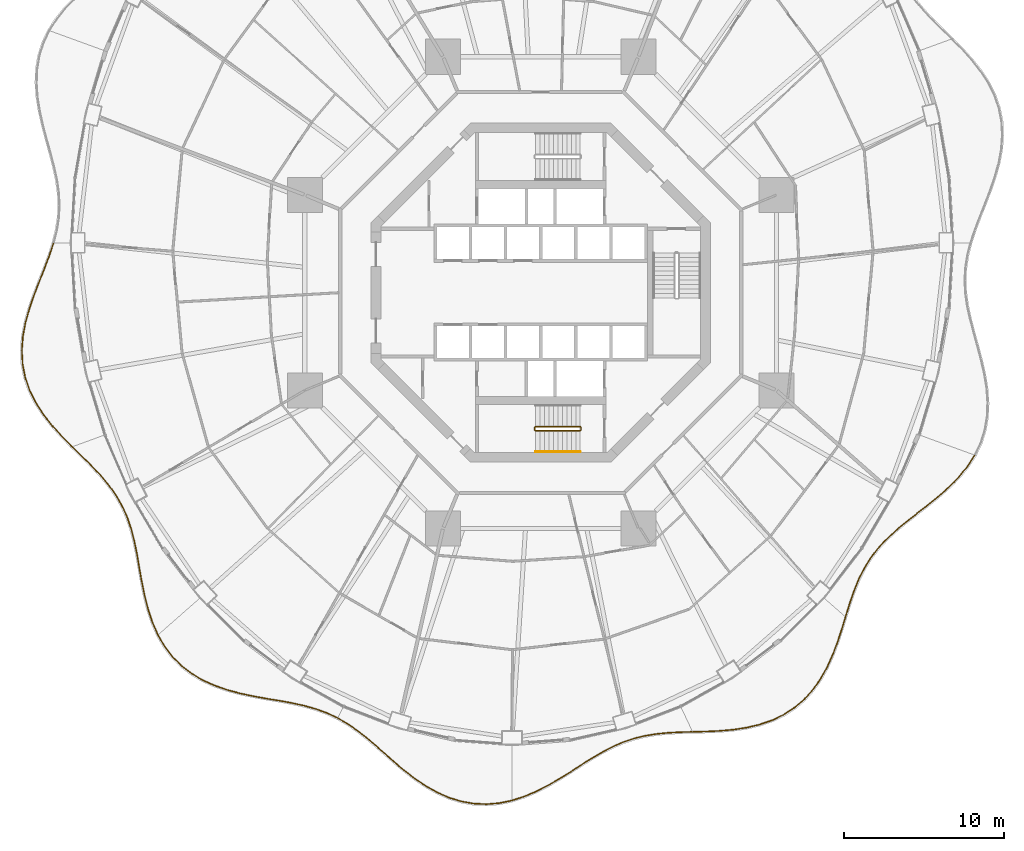
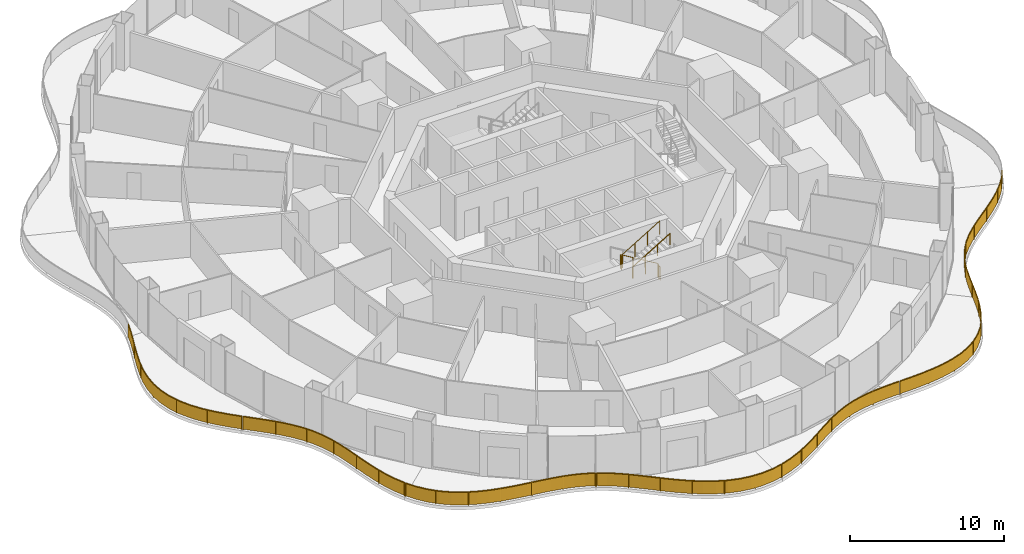
# One storey, part 20 of 22: 9 railings.
"""IFC4 building model written with IfcOpenShell, lengths in metres."""

from ifc_helpers import new_model, si_unit, direction, frame, origin, origin_2d, place, context, subcontext, project, spatial, polyline, rectangle, circle, outline, extrude, material, type_object, element, save


model = new_model("IFC4")

# Units and contexts
model_context = context("Model", 3, precision=1e-05, world=origin(), true_north=direction((0.0, 1.0)))
body_context = subcontext(model_context, "Body", "Model", "MODEL_VIEW")
ifc_project = project(units=[si_unit("LENGTHUNIT", "METRE"), si_unit("AREAUNIT", "SQUARE_METRE"), si_unit("VOLUMEUNIT", "CUBIC_METRE"), si_unit("PLANEANGLEUNIT", "RADIAN"), si_unit("MASSUNIT", "GRAM", prefix="KILO")], contexts=[model_context])

# Site, building, storey
site_placement = place(None, origin())
site = spatial("IfcSite", under=ifc_project, at=site_placement, CompositionType="ELEMENT")
building_placement = place(site_placement, origin())
building = spatial("IfcBuilding", under=site, at=building_placement, Name="Nagisa Residences", CompositionType="ELEMENT")
storey_placement = place(building_placement, frame((0.0, 0.0, 99.199951171875)))
storey = spatial("IfcBuildingStorey", under=building, at=storey_placement, Name="L24", CompositionType="ELEMENT", Elevation=99.199951171875)

# Railings
ifc_material_1 = material(Name="Stainless steel 316", Category="steel")
railing_type_1 = type_object("IfcRailingType", Name="BALCONY GUARD 1100", PredefinedType="BALUSTRADE", material=ifc_material_1)
railing_1_placement = place(storey_placement, frame((-30.53955078125, 3.08349609375, 0.0)))
element("IfcRailing", 1, at=railing_1_placement, inside=storey, type_object=railing_type_1, Name="guard:L24:bal08-0", PredefinedType="BALUSTRADE", context=body_context, shape_type="SweptSolid", body=[
    extrude(outline(polyline([(-0.227294921875, -0.766845703125), (0.023681640625, -0.0078125), (-0.023681640625, 0.0078125), (-0.274658203125, -0.750244140625), (-0.58203125, -1.56298828125), (-0.911376953125, -2.392578125), (-1.237060546875, -3.239013671875), (-1.53271484375, -4.099853515625), (-1.774169921875, -4.95751953125), (-1.935302734375, -5.8330078125), (-1.99951171875, -6.705078125), (-1.953369140625, -7.565673828125), (-1.79052734375, -8.406494140625), (-1.51513671875, -9.206787109375), (-1.1279296875, -9.988037109375), (-0.64599609375, -10.734130859375), (-0.087890625, -11.44384765625), (0.52294921875, -12.12060546875), (1.13232421875, -12.73583984375), (1.16796875, -12.70068359375), (0.55908203125, -12.08642578125), (-0.0498046875, -11.41162109375), (-0.60498046875, -10.704833984375), (-1.08447265625, -9.963134765625), (-1.46875, -9.187255859375), (-1.7421875, -8.393310546875), (-1.903564453125, -7.559326171875), (-1.94921875, -6.70556640625), (-1.885498046875, -5.83935546875), (-1.725341796875, -4.96875), (-1.48486328125, -4.114990234375), (-1.190185546875, -3.256103515625), (-0.864990234375, -2.41064453125), (-0.53515625, -1.5810546875), (-0.227294921875, -0.766845703125)])), frame((0.0, 0.0, 1.050048828125)), (0.0, 0.0, 1.0), 0.050048828125),
    extrude(outline(polyline([(-0.244384765625, -0.760986328125), (0.006591796875, -0.002197265625), (-0.006591796875, 0.002197265625), (-0.257568359375, -0.756103515625), (-0.565185546875, -1.569580078125), (-0.894775390625, -2.399169921875), (-1.22021484375, -3.2451171875), (-1.515380859375, -4.105224609375), (-1.756591796875, -4.961669921875), (-1.917236328125, -5.835205078125), (-1.9814453125, -6.705322265625), (-1.935546875, -7.5634765625), (-1.773193359375, -8.401611328125), (-1.49853515625, -9.19970703125), (-1.1123046875, -9.97900390625), (-0.631103515625, -10.7236328125), (-0.07421875, -11.43212890625), (0.535888671875, -12.1083984375), (1.145263671875, -12.72314453125), (1.155029296875, -12.71337890625), (0.546142578125, -12.0986328125), (-0.0634765625, -11.42333984375), (-0.619873046875, -10.71533203125), (-1.10009765625, -9.97216796875), (-1.4853515625, -9.1943359375), (-1.759521484375, -8.398193359375), (-1.92138671875, -7.5615234375), (-1.96728515625, -6.705322265625), (-1.903564453125, -5.837158203125), (-1.742919921875, -4.964599609375), (-1.502197265625, -4.109619140625), (-1.20703125, -3.25), (-0.881591796875, -2.404052734375), (-0.552001953125, -1.574462890625), (-0.244384765625, -0.760986328125)])), frame((0.0, 0.0, 0.06005859375)), (0.0, 0.0, 1.0), 0.989990234375),
    extrude(rectangle(XDim=0.0400390625, YDim=0.0400390625, at=origin_2d()), origin(), (0.0, 0.0, 1.0), 1.050048828125),
    extrude(rectangle(XDim=0.0400390625, YDim=0.0400390625, at=origin_2d()), frame((-0.8046875, -2.19140625, 0.0)), (0.0, 0.0, 1.0), 1.050048828125),
    extrude(rectangle(XDim=0.0400390625, YDim=0.0400390625, at=origin_2d()), frame((-1.58837890625, -4.3896484375, 0.0)), (0.0, 0.0, 1.0), 1.050048828125),
    extrude(rectangle(XDim=0.0400390625, YDim=0.0400390625, at=origin_2d()), frame((-1.972900390625, -6.685546875, 0.0)), (0.0, 0.0, 1.0), 1.050048828125),
    extrude(rectangle(XDim=0.0400390625, YDim=0.0400390625, at=origin_2d()), frame((-1.56982421875, -8.970947265625, 0.0)), (0.0, 0.0, 1.0), 1.050048828125),
    extrude(rectangle(XDim=0.0400390625, YDim=0.0400390625, at=origin_2d()), frame((-0.41455078125, -10.988037109375, 0.0)), (0.0, 0.0, 1.0), 1.050048828125),
    extrude(rectangle(XDim=0.0400390625, YDim=0.0400390625, at=origin_2d()), frame((1.150146484375, -12.71826171875, 0.0)), (0.0, 0.0, 1.0), 1.050048828125),
])
railing_2_placement = place(storey_placement, frame((-29.333984375, -9.687744140625, 0.0)))
element("IfcRailing", 2, at=railing_2_placement, inside=storey, type_object=railing_type_1, Name="guard:L24:bal09-0", PredefinedType="BALUSTRADE", context=body_context, shape_type="SweptSolid", body=[
    extrude(outline(polyline([(0.609619140625, -0.55908203125), (0.017578125, 0.017822265625), (-0.017578125, -0.017822265625), (0.574462890625, -0.5947265625), (1.17822265625, -1.195068359375), (1.743896484375, -1.79541015625), (2.25634765625, -2.4072265625), (2.705322265625, -3.03955078125), (3.0791015625, -3.688720703125), (3.39208984375, -4.38671875), (3.6435546875, -5.124755859375), (3.8447265625, -5.903076171875), (4.010986328125, -6.71826171875), (4.15185546875, -7.551025390625), (4.3046875, -8.416015625), (4.48095703125, -9.287353515625), (4.699951171875, -10.14990234375), (4.978515625, -10.987548828125), (5.309326171875, -11.740966796875), (5.355224609375, -11.720947265625), (5.025390625, -10.969482421875), (4.747802734375, -10.1357421875), (4.52978515625, -9.276123046875), (4.35400390625, -8.40673828125), (4.201171875, -7.542724609375), (4.060302734375, -6.708984375), (3.8935546875, -5.891845703125), (3.69140625, -5.110595703125), (3.4384765625, -4.3681640625), (3.12353515625, -3.665771484375), (2.747314453125, -3.0126953125), (2.2958984375, -2.37646484375), (1.781494140625, -1.76220703125), (1.2138671875, -1.159912109375), (0.609619140625, -0.55908203125)])), frame((0.0, 0.0, 1.050048828125)), (0.0, 0.0, 1.0), 0.050048828125),
    extrude(outline(polyline([(0.596923828125, -0.572021484375), (0.0048828125, 0.005126953125), (-0.0048828125, -0.005126953125), (0.587158203125, -0.581787109375), (1.19091796875, -1.182373046875), (1.757568359375, -1.783447265625), (2.2705078125, -2.396240234375), (2.720458984375, -3.02978515625), (3.094970703125, -3.680419921875), (3.40869140625, -4.380126953125), (3.660888671875, -5.11962890625), (3.8623046875, -5.89892578125), (4.02880859375, -6.71484375), (4.169677734375, -7.548095703125), (4.322509765625, -8.41259765625), (4.49853515625, -9.283203125), (4.717041015625, -10.144775390625), (4.995361328125, -10.98095703125), (5.325927734375, -11.73388671875), (5.338623046875, -11.72802734375), (5.008544921875, -10.97607421875), (4.730712890625, -10.140869140625), (4.51220703125, -9.2802734375), (4.336181640625, -8.41015625), (4.183349609375, -7.545654296875), (4.04248046875, -6.71240234375), (3.8759765625, -5.89599609375), (3.674072265625, -5.11572265625), (3.421875, -4.374755859375), (3.107666015625, -3.674072265625), (2.732177734375, -3.0224609375), (2.28173828125, -2.387451171875), (1.767822265625, -1.774169921875), (1.201171875, -1.172607421875), (0.596923828125, -0.572021484375)])), frame((0.0, 0.0, 0.06005859375)), (0.0, 0.0, 1.0), 0.989990234375),
    extrude(rectangle(XDim=0.0400390625, YDim=0.0400390625, at=origin_2d()), origin(), (0.0, 0.0, 1.0), 1.050048828125),
    extrude(rectangle(XDim=0.0400390625, YDim=0.0400390625, at=origin_2d()), frame((1.556396484375, -1.559814453125, 0.0)), (0.0, 0.0, 1.0), 1.050048828125),
    extrude(rectangle(XDim=0.0400390625, YDim=0.0400390625, at=origin_2d()), frame((2.888916015625, -3.308349609375, 0.0)), (0.0, 0.0, 1.0), 1.050048828125),
    extrude(rectangle(XDim=0.0400390625, YDim=0.0400390625, at=origin_2d()), frame((3.724853515625, -5.339111328125, 0.0)), (0.0, 0.0, 1.0), 1.050048828125),
    extrude(rectangle(XDim=0.0400390625, YDim=0.0400390625, at=origin_2d()), frame((4.16796875, -7.49658203125, 0.0)), (0.0, 0.0, 1.0), 1.050048828125),
    extrude(rectangle(XDim=0.0400390625, YDim=0.0400390625, at=origin_2d()), frame((4.6005859375, -9.656982421875, 0.0)), (0.0, 0.0, 1.0), 1.050048828125),
    extrude(rectangle(XDim=0.0400390625, YDim=0.0400390625, at=origin_2d()), frame((5.332275390625, -11.73095703125, 0.0)), (0.0, 0.0, 1.0), 1.050048828125),
])
railing_3_placement = place(storey_placement, frame((-23.96728515625, -21.488037109375, 0.0)))
element("IfcRailing", 3, at=railing_3_placement, inside=storey, type_object=railing_type_1, Name="guard:L24:bal10-0", PredefinedType="BALUSTRADE", context=body_context, shape_type="SweptSolid", body=[
    extrude(outline(polyline([(0.40625, -0.651123046875), (0.021728515625, 0.012451171875), (-0.021728515625, -0.012451171875), (0.36474609375, -0.678955078125), (0.85400390625, -1.32373046875), (1.42138671875, -1.89794921875), (2.0615234375, -2.39599609375), (2.766357421875, -2.817138671875), (3.512451171875, -3.153076171875), (4.310791015625, -3.432373046875), (5.13525390625, -3.654296875), (5.970947265625, -3.832763671875), (6.804443359375, -3.983154296875), (7.609130859375, -4.11376953125), (8.4033203125, -4.259765625), (9.16650390625, -4.428955078125), (9.89501953125, -4.6357421875), (10.588623046875, -4.890869140625), (11.213134765625, -5.184326171875), (11.234619140625, -5.138916015625), (10.608154296875, -4.844482421875), (9.91064453125, -4.587890625), (9.1787109375, -4.380615234375), (8.4130859375, -4.2109375), (7.617431640625, -4.064453125), (6.812744140625, -3.933837890625), (5.980712890625, -3.783447265625), (5.14697265625, -3.60546875), (4.325439453125, -3.384521484375), (3.531005859375, -3.106689453125), (2.789306640625, -2.772705078125), (2.08984375, -2.3544921875), (1.45458984375, -1.8603515625), (0.89208984375, -1.291015625), (0.40625, -0.651123046875)])), frame((0.0, 0.0, 1.050048828125)), (0.0, 0.0, 1.0), 0.050048828125),
    extrude(outline(polyline([(0.391357421875, -0.6611328125), (0.006103515625, 0.00341796875), (-0.006103515625, -0.00341796875), (0.379638671875, -0.6689453125), (0.86767578125, -1.31201171875), (1.433349609375, -1.88427734375), (2.07177734375, -2.381103515625), (2.774658203125, -2.801025390625), (3.51904296875, -3.136474609375), (4.316162109375, -3.4150390625), (5.139404296875, -3.63671875), (5.974365234375, -3.81494140625), (6.807373046875, -3.96533203125), (7.612060546875, -4.095947265625), (8.40673828125, -4.2421875), (9.1708984375, -4.41162109375), (9.900634765625, -4.618408203125), (10.595703125, -4.8740234375), (11.220947265625, -5.16796875), (11.226806640625, -5.1552734375), (10.60107421875, -4.861328125), (9.905029296875, -4.605224609375), (9.17431640625, -4.39794921875), (8.40966796875, -4.228515625), (7.614501953125, -4.082275390625), (6.809814453125, -3.95166015625), (5.977294921875, -3.80126953125), (5.142822265625, -3.623046875), (4.320068359375, -3.40185546875), (3.5244140625, -3.123291015625), (2.781005859375, -2.788818359375), (2.07958984375, -2.369384765625), (1.442626953125, -1.8740234375), (0.87841796875, -1.302734375), (0.391357421875, -0.6611328125)])), frame((0.0, 0.0, 0.06005859375)), (0.0, 0.0, 1.0), 0.989990234375),
    extrude(rectangle(XDim=0.0400390625, YDim=0.0400390625, at=origin_2d()), origin(), (0.0, 0.0, 1.0), 1.050048828125),
    extrude(rectangle(XDim=0.0400390625, YDim=0.0400390625, at=origin_2d()), frame((1.26708984375, -1.7060546875, 0.0)), (0.0, 0.0, 1.0), 1.050048828125),
    extrude(rectangle(XDim=0.0400390625, YDim=0.0400390625, at=origin_2d()), frame((3.020751953125, -2.904296875, 0.0)), (0.0, 0.0, 1.0), 1.050048828125),
    extrude(rectangle(XDim=0.0400390625, YDim=0.0400390625, at=origin_2d()), frame((5.03515625, -3.601318359375, 0.0)), (0.0, 0.0, 1.0), 1.050048828125),
    extrude(rectangle(XDim=0.0400390625, YDim=0.0400390625, at=origin_2d()), frame((7.130615234375, -4.0107421875, 0.0)), (0.0, 0.0, 1.0), 1.050048828125),
    extrude(rectangle(XDim=0.0400390625, YDim=0.0400390625, at=origin_2d()), frame((9.22607421875, -4.419921875, 0.0)), (0.0, 0.0, 1.0), 1.050048828125),
    extrude(rectangle(XDim=0.0400390625, YDim=0.0400390625, at=origin_2d()), frame((11.223876953125, -5.16162109375, 0.0)), (0.0, 0.0, 1.0), 1.050048828125),
])
railing_4_placement = place(storey_placement, frame((-12.682861328125, -26.68212890625, 0.0)))
element("IfcRailing", 4, at=railing_4_placement, inside=storey, type_object=railing_type_1, Name="guard:L24:bal11-0", PredefinedType="BALUSTRADE", context=body_context, shape_type="SweptSolid", body=[
    extrude(outline(polyline([(0.59130859375, -0.3154296875), (0.0126953125, 0.021728515625), (-0.0126953125, -0.021728515625), (0.564453125, -0.35791015625), (1.160888671875, -0.769287109375), (1.748779296875, -1.229248046875), (2.336181640625, -1.729248046875), (2.931884765625, -2.256103515625), (3.52685546875, -2.78857421875), (4.160888671875, -3.3193359375), (4.821533203125, -3.82421875), (5.51171875, -4.28515625), (6.230712890625, -4.68359375), (6.960205078125, -5.00244140625), (7.7275390625, -5.234375), (8.51318359375, -5.368408203125), (9.30859375, -5.40087890625), (10.106201171875, -5.33203125), (10.85009765625, -5.17578125), (10.83984375, -5.126953125), (10.098876953125, -5.2822265625), (9.3076171875, -5.3505859375), (8.5185546875, -5.318603515625), (7.7392578125, -5.185546875), (6.977294921875, -4.95556640625), (6.252685546875, -4.638671875), (5.53759765625, -4.2421875), (4.850830078125, -3.78369140625), (4.192138671875, -3.2802734375), (3.5595703125, -2.75048828125), (2.965087890625, -2.218505859375), (2.368896484375, -1.691650390625), (1.780517578125, -1.190673828125), (1.190673828125, -0.728759765625), (0.59130859375, -0.3154296875)])), frame((0.0, 0.0, 1.050048828125)), (0.0, 0.0, 1.0), 0.050048828125),
    extrude(outline(polyline([(0.58154296875, -0.330810546875), (0.00341796875, 0.006103515625), (-0.00341796875, -0.006103515625), (0.57421875, -0.342529296875), (1.171630859375, -0.754638671875), (1.76025390625, -1.21533203125), (2.347900390625, -1.7158203125), (2.94384765625, -2.242431640625), (3.53857421875, -2.77490234375), (4.172119140625, -3.30517578125), (4.83203125, -3.8095703125), (5.52099609375, -4.269775390625), (6.238525390625, -4.66748046875), (6.96630859375, -4.985595703125), (7.731689453125, -5.216796875), (8.51513671875, -5.3505859375), (9.308349609375, -5.3828125), (10.103515625, -5.31396484375), (10.846435546875, -5.158203125), (10.843505859375, -5.14453125), (10.1015625, -5.30029296875), (9.307861328125, -5.36865234375), (8.5166015625, -5.33642578125), (7.735107421875, -5.203125), (6.97119140625, -4.972412109375), (6.244873046875, -4.65478515625), (5.5283203125, -4.257568359375), (4.84033203125, -3.79833984375), (4.180908203125, -3.29443359375), (3.5478515625, -2.76416015625), (2.953125, -2.232177734375), (2.357177734375, -1.705078125), (1.76904296875, -1.20458984375), (1.179931640625, -0.743408203125), (0.58154296875, -0.330810546875)])), frame((0.0, 0.0, 0.06005859375)), (0.0, 0.0, 1.0), 0.989990234375),
    extrude(rectangle(XDim=0.0400390625, YDim=0.0400390625, at=origin_2d()), origin(), (0.0, 0.0, 1.0), 1.050048828125),
    extrude(rectangle(XDim=0.0400390625, YDim=0.0400390625, at=origin_2d()), frame((1.723876953125, -1.17822265625, 0.0)), (0.0, 0.0, 1.0), 1.050048828125),
    extrude(rectangle(XDim=0.0400390625, YDim=0.0400390625, at=origin_2d()), frame((3.30029296875, -2.552001953125, 0.0)), (0.0, 0.0, 1.0), 1.050048828125),
    extrude(rectangle(XDim=0.0400390625, YDim=0.0400390625, at=origin_2d()), frame((4.9267578125, -3.864501953125, 0.0)), (0.0, 0.0, 1.0), 1.050048828125),
    extrude(rectangle(XDim=0.0400390625, YDim=0.0400390625, at=origin_2d()), frame((6.747802734375, -4.88232421875, 0.0)), (0.0, 0.0, 1.0), 1.050048828125),
    extrude(rectangle(XDim=0.0400390625, YDim=0.0400390625, at=origin_2d()), frame((8.773193359375, -5.35400390625, 0.0)), (0.0, 0.0, 1.0), 1.050048828125),
    extrude(rectangle(XDim=0.0400390625, YDim=0.0400390625, at=origin_2d()), frame((10.844970703125, -5.1513671875, 0.0)), (0.0, 0.0, 1.0), 1.050048828125),
])
railing_5_placement = place(storey_placement, frame((-1.76318359375, -31.81298828125, 0.0)))
element("IfcRailing", 5, at=railing_5_placement, inside=storey, type_object=railing_type_1, Name="guard:L24:bal12-0", PredefinedType="BALUSTRADE", context=body_context, shape_type="SweptSolid", body=[
    extrude(outline(polyline([(0.72314453125, 0.26025390625), (-0.0078125, 0.02392578125), (0.0078125, -0.02392578125), (0.74072265625, 0.21337890625), (1.503173828125, 0.5361328125), (2.244873046875, 0.914794921875), (2.9638671875, 1.331298828125), (3.660888671875, 1.766357421875), (4.320556640625, 2.198486328125), (4.983154296875, 2.61474609375), (5.63671875, 2.998046875), (6.2880859375, 3.335693359375), (6.94482421875, 3.6201171875), (7.597412109375, 3.841796875), (8.285400390625, 4.011474609375), (8.9970703125, 4.12841796875), (9.7353515625, 4.201904296875), (10.500244140625, 4.2431640625), (11.244140625, 4.262939453125), (11.24267578125, 4.312744140625), (10.498291015625, 4.29296875), (9.7314453125, 4.251708984375), (8.99072265625, 4.17822265625), (8.275146484375, 4.060302734375), (7.583251953125, 3.8896484375), (6.9267578125, 3.6669921875), (6.2666015625, 3.381103515625), (5.6123046875, 3.0419921875), (4.957275390625, 2.65771484375), (4.293701171875, 2.240478515625), (3.634033203125, 1.808349609375), (2.93798828125, 1.374267578125), (2.220947265625, 0.958740234375), (1.482177734375, 0.58154296875), (0.72314453125, 0.26025390625)])), frame((0.0, 0.0, 1.050048828125)), (0.0, 0.0, 1.0), 0.050048828125),
    extrude(outline(polyline([(0.7294921875, 0.243408203125), (-0.002197265625, 0.006591796875), (0.002197265625, -0.006591796875), (0.734375, 0.230224609375), (1.49560546875, 0.552490234375), (2.236328125, 0.9306640625), (2.95458984375, 1.3466796875), (3.651123046875, 1.781494140625), (4.310791015625, 2.213623046875), (4.973876953125, 2.630126953125), (5.6279296875, 3.013916015625), (6.2802734375, 3.35205078125), (6.938232421875, 3.636962890625), (7.59228515625, 3.85888671875), (8.28173828125, 4.029052734375), (8.994873046875, 4.146484375), (9.73388671875, 4.2197265625), (10.49951171875, 4.260986328125), (11.24365234375, 4.28076171875), (11.2431640625, 4.294921875), (10.4990234375, 4.275146484375), (9.73291015625, 4.23388671875), (8.992919921875, 4.16015625), (8.27880859375, 4.042724609375), (7.58837890625, 3.87255859375), (6.933349609375, 3.650146484375), (6.2744140625, 3.36474609375), (5.62109375, 3.026123046875), (4.966552734375, 2.642333984375), (4.303466796875, 2.225341796875), (3.643798828125, 1.793212890625), (2.947265625, 1.35888671875), (2.2294921875, 0.94287109375), (1.48974609375, 0.565185546875), (0.7294921875, 0.243408203125)])), frame((0.0, 0.0, 0.06005859375)), (0.0, 0.0, 1.0), 0.989990234375),
    extrude(rectangle(XDim=0.0400390625, YDim=0.0400390625, at=origin_2d()), origin(), (0.0, 0.0, 1.0), 1.050048828125),
    extrude(rectangle(XDim=0.0400390625, YDim=0.0400390625, at=origin_2d()), frame((1.888671875, 0.760986328125, 0.0)), (0.0, 0.0, 1.0), 1.050048828125),
    extrude(rectangle(XDim=0.0400390625, YDim=0.0400390625, at=origin_2d()), frame((3.649658203125, 1.788818359375, 0.0)), (0.0, 0.0, 1.0), 1.050048828125),
    extrude(rectangle(XDim=0.0400390625, YDim=0.0400390625, at=origin_2d()), frame((5.37646484375, 2.87451171875, 0.0)), (0.0, 0.0, 1.0), 1.050048828125),
    extrude(rectangle(XDim=0.0400390625, YDim=0.0400390625, at=origin_2d()), frame((7.219482421875, 3.73974609375, 0.0)), (0.0, 0.0, 1.0), 1.050048828125),
    extrude(rectangle(XDim=0.0400390625, YDim=0.0400390625, at=origin_2d()), frame((9.207275390625, 4.174560546875, 0.0)), (0.0, 0.0, 1.0), 1.050048828125),
    extrude(rectangle(XDim=0.0400390625, YDim=0.0400390625, at=origin_2d()), frame((11.243408203125, 4.287841796875, 0.0)), (0.0, 0.0, 1.0), 1.050048828125),
])
railing_6_placement = place(storey_placement, frame((9.5556640625, -27.52490234375, 0.0)))
element("IfcRailing", 6, at=railing_6_placement, inside=storey, type_object=railing_type_1, Name="guard:L24:bal13-0", PredefinedType="BALUSTRADE", context=body_context, shape_type="SweptSolid", body=[
    extrude(outline(polyline([(0.793212890625, 0.044189453125), (-0.00048828125, 0.02490234375), (0.00048828125, -0.02490234375), (0.795166015625, -0.005615234375), (1.6474609375, 0.034423828125), (2.50244140625, 0.1103515625), (3.347900390625, 0.238525390625), (4.1689453125, 0.4326171875), (4.943603515625, 0.697021484375), (5.683349609375, 1.053955078125), (6.365478515625, 1.497314453125), (6.982177734375, 2.025390625), (7.529541015625, 2.632080078125), (7.99462890625, 3.296142578125), (8.4052734375, 4.02685546875), (8.7568359375, 4.79833984375), (9.0595703125, 5.594482421875), (9.32666015625, 6.39990234375), (9.557861328125, 7.1572265625), (9.510009765625, 7.171875), (9.27880859375, 6.4150390625), (9.01220703125, 5.611083984375), (8.71044921875, 4.8173828125), (8.36083984375, 4.04931640625), (7.9521484375, 3.322998046875), (7.490478515625, 2.663330078125), (6.947021484375, 2.0615234375), (6.335205078125, 1.537353515625), (5.658935546875, 1.097412109375), (4.924560546875, 0.743408203125), (4.1552734375, 0.48095703125), (3.338134765625, 0.287841796875), (2.49658203125, 0.16015625), (1.64404296875, 0.084228515625), (0.793212890625, 0.044189453125)])), frame((0.0, 0.0, 1.050048828125)), (0.0, 0.0, 1.0), 0.050048828125),
    extrude(outline(polyline([(0.7939453125, 0.0263671875), (-0.000244140625, 0.007080078125), (0.000244140625, -0.007080078125), (0.79443359375, 0.01220703125), (1.646240234375, 0.05224609375), (2.500244140625, 0.12841796875), (3.34423828125, 0.25634765625), (4.1640625, 0.449951171875), (4.936767578125, 0.713623046875), (5.674560546875, 1.069580078125), (6.3544921875, 1.51171875), (6.969482421875, 2.038330078125), (7.515380859375, 2.643310546875), (7.979248046875, 3.305908203125), (8.389404296875, 4.034912109375), (8.739990234375, 4.80517578125), (9.04248046875, 5.600341796875), (9.309326171875, 6.4052734375), (9.54052734375, 7.16259765625), (9.52734375, 7.16650390625), (9.296142578125, 6.40966796875), (9.029296875, 5.605224609375), (8.727294921875, 4.810546875), (8.376708984375, 4.041259765625), (7.967529296875, 3.313232421875), (7.504638671875, 2.652099609375), (6.959716796875, 2.048583984375), (6.34619140625, 1.52294921875), (5.667724609375, 1.081787109375), (4.931396484375, 0.726806640625), (4.16015625, 0.463623046875), (3.341796875, 0.27001953125), (2.498779296875, 0.14208984375), (1.645263671875, 0.06640625), (0.7939453125, 0.0263671875)])), frame((0.0, 0.0, 0.06005859375)), (0.0, 0.0, 1.0), 0.989990234375),
    extrude(rectangle(XDim=0.0400390625, YDim=0.0400390625, at=origin_2d()), origin(), (0.0, 0.0, 1.0), 1.050048828125),
    extrude(rectangle(XDim=0.0400390625, YDim=0.0400390625, at=origin_2d()), frame((2.2041015625, 0.10888671875, 0.0)), (0.0, 0.0, 1.0), 1.050048828125),
    extrude(rectangle(XDim=0.0400390625, YDim=0.0400390625, at=origin_2d()), frame((4.36669921875, 0.526611328125, 0.0)), (0.0, 0.0, 1.0), 1.050048828125),
    extrude(rectangle(XDim=0.0400390625, YDim=0.0400390625, at=origin_2d()), frame((6.333251953125, 1.506103515625, 0.0)), (0.0, 0.0, 1.0), 1.050048828125),
    extrude(rectangle(XDim=0.0400390625, YDim=0.0400390625, at=origin_2d()), frame((7.833740234375, 3.110107421875, 0.0)), (0.0, 0.0, 1.0), 1.050048828125),
    extrude(rectangle(XDim=0.0400390625, YDim=0.0400390625, at=origin_2d()), frame((8.833984375, 5.07177734375, 0.0)), (0.0, 0.0, 1.0), 1.050048828125),
    extrude(rectangle(XDim=0.0400390625, YDim=0.0400390625, at=origin_2d()), frame((9.533935546875, 7.16455078125, 0.0)), (0.0, 0.0, 1.0), 1.050048828125),
])
railing_7_placement = place(storey_placement, frame((19.1103515625, -20.287353515625, 0.0)))
element("IfcRailing", 7, at=railing_7_placement, inside=storey, type_object=railing_type_1, Name="guard:L24:bal14-0", PredefinedType="BALUSTRADE", context=body_context, shape_type="SweptSolid", body=[
    extrude(outline(polyline([(0.21630859375, 0.783935546875), (-0.02392578125, 0.00732421875), (0.02392578125, -0.00732421875), (0.263671875, 0.768310546875), (0.532958984375, 1.552978515625), (0.833740234375, 2.296142578125), (1.179931640625, 2.99267578125), (1.582763671875, 3.64306640625), (2.0400390625, 4.23779296875), (2.5693359375, 4.809326171875), (3.157958984375, 5.35498046875), (3.7958984375, 5.8857421875), (4.46923828125, 6.4140625), (5.153076171875, 6.939208984375), (5.83935546875, 7.498291015625), (6.499267578125, 8.087890625), (7.111328125, 8.715087890625), (7.65478515625, 9.384521484375), (8.088623046875, 10.056640625), (8.046630859375, 10.083984375), (7.6142578125, 9.413818359375), (7.07373046875, 8.748291015625), (6.464599609375, 8.1240234375), (5.806640625, 7.536376953125), (5.121826171875, 6.978271484375), (4.4384765625, 6.45361328125), (3.7646484375, 5.9248046875), (3.124755859375, 5.392578125), (2.53369140625, 4.844970703125), (2.001953125, 4.27001953125), (1.541748046875, 3.67138671875), (1.135986328125, 3.01708984375), (0.787841796875, 2.316650390625), (0.486083984375, 1.570556640625), (0.21630859375, 0.783935546875)])), frame((0.0, 0.0, 1.050048828125)), (0.0, 0.0, 1.0), 0.050048828125),
    extrude(outline(polyline([(0.2333984375, 0.7783203125), (-0.006591796875, 0.001953125), (0.006591796875, -0.001953125), (0.24658203125, 0.77392578125), (0.51611328125, 1.559326171875), (0.817138671875, 2.303466796875), (1.1640625, 3.00146484375), (1.568115234375, 3.6533203125), (2.0263671875, 4.249267578125), (2.556396484375, 4.822265625), (3.14599609375, 5.368408203125), (3.78466796875, 5.89990234375), (4.458251953125, 6.42822265625), (5.141845703125, 6.953369140625), (5.82763671875, 7.511962890625), (6.48681640625, 8.100830078125), (7.09765625, 8.72705078125), (7.64013671875, 9.39501953125), (8.073486328125, 10.06640625), (8.061767578125, 10.07421875), (7.62890625, 9.4033203125), (7.08740234375, 8.736328125), (6.47705078125, 8.111083984375), (5.818359375, 7.522705078125), (5.133056640625, 6.964111328125), (4.449462890625, 6.439453125), (3.77587890625, 5.91064453125), (3.13671875, 5.379150390625), (2.546630859375, 4.83203125), (2.015625, 4.258544921875), (1.556396484375, 3.6611328125), (1.15185546875, 3.00830078125), (0.804443359375, 2.309326171875), (0.5029296875, 1.564208984375), (0.2333984375, 0.7783203125)])), frame((0.0, 0.0, 0.06005859375)), (0.0, 0.0, 1.0), 0.989990234375),
    extrude(rectangle(XDim=0.0400390625, YDim=0.0400390625, at=origin_2d()), origin(), (0.0, 0.0, 1.0), 1.050048828125),
    extrude(rectangle(XDim=0.0400390625, YDim=0.0400390625, at=origin_2d()), frame((0.71728515625, 2.0751953125, 0.0)), (0.0, 0.0, 1.0), 1.050048828125),
    extrude(rectangle(XDim=0.0400390625, YDim=0.0400390625, at=origin_2d()), frame((1.80615234375, 3.974365234375, 0.0)), (0.0, 0.0, 1.0), 1.050048828125),
    extrude(rectangle(XDim=0.0400390625, YDim=0.0400390625, at=origin_2d()), frame((3.340576171875, 5.53955078125, 0.0)), (0.0, 0.0, 1.0), 1.050048828125),
    extrude(rectangle(XDim=0.0400390625, YDim=0.0400390625, at=origin_2d()), frame((5.063720703125, 6.902099609375, 0.0)), (0.0, 0.0, 1.0), 1.050048828125),
    extrude(rectangle(XDim=0.0400390625, YDim=0.0400390625, at=origin_2d()), frame((6.716552734375, 8.346435546875, 0.0)), (0.0, 0.0, 1.0), 1.050048828125),
    extrude(rectangle(XDim=0.0400390625, YDim=0.0400390625, at=origin_2d()), frame((8.067626953125, 10.0703125, 0.0)), (0.0, 0.0, 1.0), 1.050048828125),
])
ifc_material_2 = material(Name="Stainless steel", Category="steel")
railing_type_2 = type_object("IfcRailingType", Name="Stair guard 1100", PredefinedType="GUARDRAIL", material=ifc_material_2)
railing_8_placement = place(storey_placement, frame((2.52490234375, -8.599609375, 0.0)))
element("IfcRailing", 8, at=railing_8_placement, inside=storey, type_object=railing_type_2, Name="L24 ST-S stair guard 1", PredefinedType="GUARDRAIL", context=body_context, shape_type="SweptSolid", body=[
    extrude(circle(Radius=0.02392578125, at=origin_2d()), frame((0.0, 0.0, 1.076171875), z_axis=(0.0, 1.0, 0.0), x_axis=(-1.0, 0.0, 0.0)), (0.0, 0.0, 1.0), 0.14990234375),
    extrude(circle(Radius=0.02392578125, at=origin_2d()), frame((0.0, 0.14990234375, 1.076171875), z_axis=(-0.273006030465, 0.27434429532, 0.922064485248), x_axis=(-0.708833529934, -0.705375805398, 0.0)), (0.0, 0.0, 1.0), 0.182373046875),
    extrude(circle(Radius=0.02392578125, at=origin_2d()), frame((-0.0498046875, 0.199951171875, 1.244140625), z_axis=(-0.857242210791, 0.0, 0.514913383045), x_axis=(0.0, -1.0, 0.0)), (0.0, 0.0, 1.0), 3.266357421875),
    extrude(circle(Radius=0.02392578125, at=origin_2d()), frame((-2.849853515625, 0.199951171875, 2.92626953125), z_axis=(-0.707106781187, -0.707106781187, 0.0), x_axis=(0.707106781187, -0.707106781187, 0.0)), (0.0, 0.0, 1.0), 0.07080078125),
    extrude(circle(Radius=0.02392578125, at=origin_2d()), frame((-2.89990234375, 0.14990234375, 2.92626953125), z_axis=(0.0, -1.0, 0.0), x_axis=(1.0, 0.0, 0.0)), (0.0, 0.0, 1.0), 0.14990234375),
    extrude(circle(Radius=0.02392578125, at=origin_2d()), frame((-2.89990234375, 0.0, 2.92626953125), z_axis=(0.274243871929, -0.274243871929, 0.92172696468), x_axis=(0.707106781187, 0.707106781187, 0.0)), (0.0, 0.0, 1.0), 0.1826171875),
    extrude(circle(Radius=0.02392578125, at=origin_2d()), frame((-2.849853515625, -0.050048828125, 3.09423828125), z_axis=(0.857275202839, 0.0, 0.514858452973), x_axis=(0.0, 1.0, 0.0)), (0.0, 0.0, 1.0), 3.26611328125),
    extrude(circle(Radius=0.02099609375, at=origin_2d()), origin(), (0.0, 0.0, 1.0), 1.052001953125),
    extrude(circle(Radius=0.02099609375, at=origin_2d()), frame((0.0, 0.14990234375, 0.0)), (0.0, 0.0, 1.0), 1.052001953125),
    extrude(circle(Radius=0.02099609375, at=origin_2d()), frame((-0.0498046875, 0.199951171875, 0.168212890625)), (0.0, 0.0, 1.0), 1.052001953125),
    extrude(circle(Radius=0.02099609375, at=origin_2d()), frame((-0.983154296875, 0.199951171875, 0.728759765625)), (0.0, 0.0, 1.0), 1.052001953125),
    extrude(circle(Radius=0.02099609375, at=origin_2d()), frame((-1.91650390625, 0.199951171875, 1.28955078125)), (0.0, 0.0, 1.0), 1.052001953125),
    extrude(circle(Radius=0.02099609375, at=origin_2d()), frame((-2.849853515625, 0.199951171875, 1.85009765625)), (0.0, 0.0, 1.0), 1.052001953125),
    extrude(circle(Radius=0.02099609375, at=origin_2d()), frame((-2.89990234375, 0.14990234375, 1.85009765625)), (0.0, 0.0, 1.0), 1.052001953125),
    extrude(circle(Radius=0.02099609375, at=origin_2d()), frame((-2.89990234375, 0.0, 1.85009765625)), (0.0, 0.0, 1.0), 1.052001953125),
    extrude(circle(Radius=0.02099609375, at=origin_2d()), frame((-2.849853515625, -0.050048828125, 2.018310546875)), (0.0, 0.0, 1.0), 1.052001953125),
    extrude(circle(Radius=0.02099609375, at=origin_2d()), frame((-1.91650390625, -0.050048828125, 2.578857421875)), (0.0, 0.0, 1.0), 1.052001953125),
    extrude(circle(Radius=0.02099609375, at=origin_2d()), frame((-0.983154296875, -0.050048828125, 3.139404296875)), (0.0, 0.0, 1.0), 1.052001953125),
    extrude(circle(Radius=0.02099609375, at=origin_2d()), frame((-0.0498046875, -0.050048828125, 3.699951171875)), (0.0, 0.0, 1.0), 1.052001953125),
])
ifc_material_3 = material(Name="Stainless steel", Category="steel")
railing_type_3 = type_object("IfcRailingType", Name="Stair handrail 900", PredefinedType="HANDRAIL", material=ifc_material_3)
railing_9_placement = place(storey_placement, frame((-0.324951171875, -9.974609375, 2.018310546875)))
element("IfcRailing", 9, at=railing_9_placement, inside=storey, type_object=railing_type_3, Name="L24 ST-S stair handrail 2", PredefinedType="HANDRAIL", context=body_context, shape_type="SweptSolid", body=[
    extrude(circle(Radius=0.02392578125, at=origin_2d()), frame((0.0, 0.0, 0.8759765625), z_axis=(0.857275202839, 0.0, 0.514858452973), x_axis=(0.0, 1.0, 0.0)), (0.0, 0.0, 1.0), 3.26611328125),
    extrude(circle(Radius=0.02099609375, at=origin_2d()), origin(), (0.0, 0.0, 1.0), 0.851806640625),
    extrude(circle(Radius=0.02099609375, at=origin_2d()), frame((0.933349609375, 0.0, 0.560546875)), (0.0, 0.0, 1.0), 0.851806640625),
    extrude(circle(Radius=0.02099609375, at=origin_2d()), frame((1.86669921875, 0.0, 1.12109375)), (0.0, 0.0, 1.0), 0.851806640625),
    extrude(circle(Radius=0.02099609375, at=origin_2d()), frame((2.800048828125, 0.0, 1.681640625)), (0.0, 0.0, 1.0), 0.851806640625),
])

save(model, "model.ifc")
